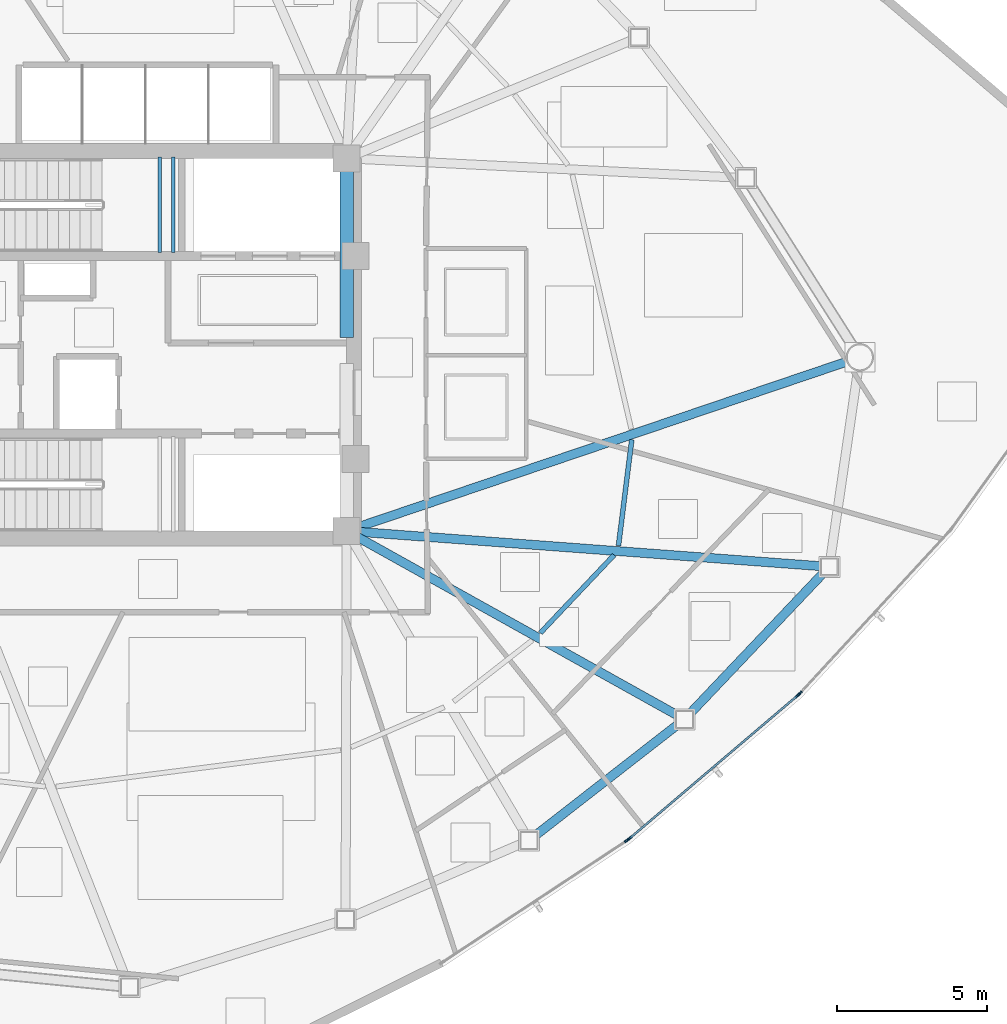
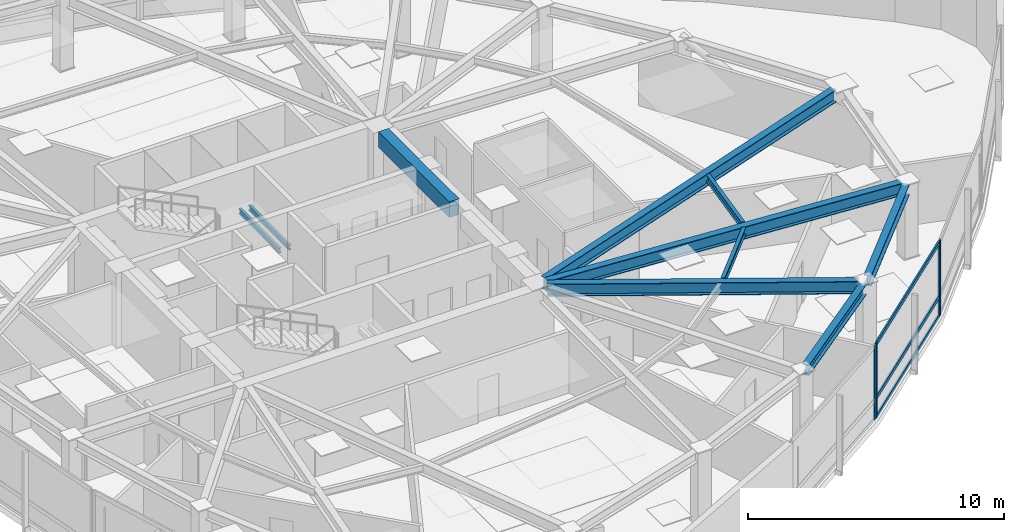
# One storey, part 5 of 17: 10 beams, 7 members, 3 elements without a shape of their own.
"""IFC4 building model written with IfcOpenShell, lengths in metres."""

import ifcopenshell
import ifcopenshell.guid

model = None  # the IFC model being written
_history = None  # IfcOwnerHistory: only IFC2X3 demands one
_inside = {}  # id of a spatial element -> (the spatial element, [elements in it])
_under = {}  # id of a project, library or spatial element -> (it, [spatial elements below it])
_declared = {}  # id of a project -> (the project, [libraries it declares])
_typed = {}  # id of a type object -> (the type object, [elements of that type])
_made_of = {}  # id of a material, layer set ... -> (it, [elements and type objects made of it])


def new_model(schema):
    """Start an empty IFC model of exactly this schema.

    Asked for "IFC4X3", IfcOpenShell would pick the latest addendum, in which some entities
    have other attributes; the version numbers below select the first issue.
    IFC2X3 requires an IfcOwnerHistory on every rooted entity: one is made here for all.
    """
    global model, _history
    if schema == "IFC4X3":
        model = ifcopenshell.file(schema_version=(4, 3, 0, 0))
    else:
        model = ifcopenshell.file(schema=schema)
    _inside.clear()
    _under.clear()
    _declared.clear()
    _typed.clear()
    _made_of.clear()
    _history = None
    if model.schema == "IFC2X3":
        org = make("IfcOrganization", Name="unknown")
        user = make(
            "IfcPersonAndOrganization",
            ThePerson=make("IfcPerson", FamilyName="unknown"),
            TheOrganization=org,
        )
        app = make(
            "IfcApplication",
            ApplicationDeveloper=org,
            Version="unknown",
            ApplicationFullName="unknown",
            ApplicationIdentifier="unknown",
        )
        _history = make(
            "IfcOwnerHistory",
            OwningUser=user,
            OwningApplication=app,
            ChangeAction="ADDED",
            CreationDate=0,
        )
    return model


def make(cls, **values):
    """One entity of the class cls with the attributes given. An attribute that is None is left unset."""
    return model.create_entity(
        cls, **{name: value for name, value in values.items() if value is not None}
    )


def rooted(cls, **values):
    """An entity with a GlobalId (a new one), such as an element, a storey or a relation."""
    return make(cls, GlobalId=ifcopenshell.guid.new(), OwnerHistory=_history, **values)


def si_unit(unit_type, name, prefix=None):
    """IfcSIUnit, for example si_unit("LENGTHUNIT", "METRE", prefix="MILLI")."""
    return make("IfcSIUnit", UnitType=unit_type, Prefix=prefix, Name=name)


def assignment(units):
    """IfcUnitAssignment: the units of a project."""
    return None if units is None else make("IfcUnitAssignment", Units=units)


def point(xyz):
    """IfcCartesianPoint."""
    return None if xyz is None else make("IfcCartesianPoint", Coordinates=xyz)


def direction(xyz):
    """IfcDirection."""
    return None if xyz is None else make("IfcDirection", DirectionRatios=xyz)


def frame(location, z_axis=None, x_axis=None):
    """IfcAxis2Placement3D, a coordinate frame: its origin and axes. An axis left out is left unset."""
    return make(
        "IfcAxis2Placement3D",
        Location=point(location),
        Axis=direction(z_axis),
        RefDirection=direction(x_axis),
    )


def frame_2d(location, x_axis=None):
    """IfcAxis2Placement2D, a coordinate frame in the plane: its origin and x axis."""
    return make(
        "IfcAxis2Placement2D", Location=point(location), RefDirection=direction(x_axis)
    )


def origin():
    """The frame at (0, 0, 0) with its axes left unset."""
    return frame((0.0, 0.0, 0.0))


def origin_2d():
    """The frame at (0, 0) in the plane with its x axis left unset."""
    return frame_2d((0.0, 0.0))


def place(relative_to, where):
    """IfcLocalPlacement: puts the frame where relative to a parent placement (None: the world)."""
    return make(
        "IfcLocalPlacement", PlacementRelTo=relative_to, RelativePlacement=where
    )


def context(
    kind, dimensions, precision=None, world=None, true_north=None, identifier=None
):
    """IfcGeometricRepresentationContext, for example the 3D "Model" context."""
    return make(
        "IfcGeometricRepresentationContext",
        ContextIdentifier=identifier,
        ContextType=kind,
        CoordinateSpaceDimension=dimensions,
        Precision=precision,
        WorldCoordinateSystem=world,
        TrueNorth=true_north,
    )


def subcontext(parent, identifier, kind, view, scale=None):
    """IfcGeometricRepresentationSubContext, for example "Body" below "Model"."""
    return make(
        "IfcGeometricRepresentationSubContext",
        ContextIdentifier=identifier,
        ContextType=kind,
        ParentContext=parent,
        TargetScale=scale,
        TargetView=view,
    )


def project(units=None, contexts=None):
    """IfcProject with its units and contexts."""
    return rooted(
        "IfcProject",
        Name="project",
        RepresentationContexts=contexts,
        UnitsInContext=assignment(units),
    )


def spatial(cls, under=None, at=None, **own):
    """A site, building, storey or space (cls), placed at a placement, below another one or the project."""
    s = rooted(cls, ObjectPlacement=at, **own)
    if under is not None:
        _under.setdefault(under.id(), (under, []))[1].append(s)
    return s


def profile(cls, at=None, kind="AREA", **sizes):
    """A parametric profile (cls). Its sizes go by their IFC names, for example OverallWidth=200.0."""
    return make(cls, ProfileType=kind, Position=at, **sizes)


def rectangle(**sizes):
    """IfcRectangleProfileDef."""
    return profile("IfcRectangleProfileDef", **sizes)


def hollow_rectangle(**sizes):
    """IfcRectangleHollowProfileDef."""
    return profile("IfcRectangleHollowProfileDef", **sizes)


def i_section(**sizes):
    """IfcIShapeProfileDef."""
    return profile("IfcIShapeProfileDef", **sizes)


def extrude(swept, where, along, depth):
    """IfcExtrudedAreaSolid: the profile swept, set in the frame where, extruded along a direction by depth."""
    return make(
        "IfcExtrudedAreaSolid",
        SweptArea=swept,
        Position=where,
        ExtrudedDirection=direction(along),
        Depth=depth,
    )


def shape(context_of_items, identifier, shape_type, items):
    """IfcShapeRepresentation: the items that make up one representation, for example the "Body"."""
    return make(
        "IfcShapeRepresentation",
        ContextOfItems=context_of_items,
        RepresentationIdentifier=identifier,
        RepresentationType=shape_type,
        Items=items,
    )


def source(mapping_origin, context_of_items, identifier, shape_type, items):
    """IfcRepresentationMap: a shape defined once, which mapped items show again and again."""
    return make(
        "IfcRepresentationMap",
        MappingOrigin=mapping_origin,
        MappedRepresentation=shape(context_of_items, identifier, shape_type, items),
    )


def transform(
    local_origin,
    x_axis=None,
    y_axis=None,
    z_axis=None,
    scale=None,
    scale2=None,
    scale3=None,
    uniform=True,
):
    """IfcCartesianTransformationOperator3D, or its non-uniform kind. x_axis, y_axis, z_axis: its Axis1, 2, 3."""
    if uniform:
        return make(
            "IfcCartesianTransformationOperator3D",
            Axis1=direction(x_axis),
            Axis2=direction(y_axis),
            LocalOrigin=point(local_origin),
            Scale=scale,
            Axis3=direction(z_axis),
        )
    return make(
        "IfcCartesianTransformationOperator3DnonUniform",
        Axis1=direction(x_axis),
        Axis2=direction(y_axis),
        LocalOrigin=point(local_origin),
        Scale=scale,
        Axis3=direction(z_axis),
        Scale2=scale2,
        Scale3=scale3,
    )


def mapped(mapping_source, mapping_target):
    """IfcMappedItem: shows the shape of a source again, moved by a transform."""
    return make(
        "IfcMappedItem", MappingSource=mapping_source, MappingTarget=mapping_target
    )


def material(Name=None, Category=None):
    """IfcMaterial."""
    return make("IfcMaterial", Name=Name, Category=Category)


def layer(
    of_material, thickness, ventilated=None, Name=None, Category=None, Priority=None
):
    """IfcMaterialLayer: one layer of a wall or slab, of a material (None: an air gap)."""
    return make(
        "IfcMaterialLayer",
        Material=of_material,
        LayerThickness=thickness,
        IsVentilated=ventilated,
        Name=Name,
        Category=Category,
        Priority=Priority,
    )


def layer_set(layers, Name=None):
    """IfcMaterialLayerSet."""
    return make("IfcMaterialLayerSet", MaterialLayers=layers, LayerSetName=Name)


def material_profile(
    of_material, cross_section, Name=None, Category=None, Priority=None
):
    """IfcMaterialProfile: a cross section and its material."""
    return make(
        "IfcMaterialProfile",
        Name=Name,
        Material=of_material,
        Profile=cross_section,
        Priority=Priority,
        Category=Category,
    )


def profile_set(profiles, Name=None, composite=None):
    """IfcMaterialProfileSet."""
    return make(
        "IfcMaterialProfileSet",
        Name=Name,
        MaterialProfiles=profiles,
        CompositeProfile=composite,
    )


def made_of(thing, what):
    """Note that an element or type object is made of a material, layer set ...; save() writes the relation."""
    if what is not None:
        _made_of.setdefault(what.id(), (what, []))[1].append(thing)
    return thing


def type_object(cls, material=None, **own):
    """A type object (cls), such as IfcWallType, which elements share."""
    return made_of(rooted(cls, **own), material)


def type_shapes(of_type, sources):
    """Give a type object the sources (RepresentationMaps) that its elements show as mapped items."""
    of_type.RepresentationMaps = sources


def element(
    cls,
    number,
    at=None,
    inside=None,
    cuts=None,
    type_object=None,
    material=None,
    context=None,
    identifier="Body",
    shape_type=None,
    held_by="IfcProductDefinitionShape",
    body=None,
    shapes=None,
    **own,
):
    """One element of the class cls, such as IfcWall. Its Tag is "e" and its number.

    at: its placement. inside: the storey or other place that contains it. cuts: it is an
    opening in that element (IfcRelVoidsElement). A single representation is given by context,
    identifier, shape_type and body (its items); several are given by shapes. held_by: the class
    of the entity that holds the representations. save() writes the other relations.
    """
    e = rooted(cls, Tag="e%d" % number, ObjectPlacement=at, **own)
    if body is not None:
        shapes = [shape(context, identifier, shape_type, body)]
    if shapes is not None:
        e.Representation = make(held_by, Representations=shapes)
    if inside is not None:
        _inside.setdefault(inside.id(), (inside, []))[1].append(e)
    if cuts is not None:
        rooted(
            "IfcRelVoidsElement", RelatingBuildingElement=cuts, RelatedOpeningElement=e
        )
    if type_object is not None:
        _typed.setdefault(type_object.id(), (type_object, []))[1].append(e)
    return made_of(e, material)


def aggregate(whole, parts):
    """IfcRelAggregates: a whole, such as a stair, and the parts it consists of."""
    return rooted("IfcRelAggregates", RelatingObject=whole, RelatedObjects=parts)


def save(model, path):
    """Write the relations noted so far, then the file.

    IfcRelAggregates (storeys below a building ...), IfcRelContainedInSpatialStructure (elements
    in a storey), IfcRelDefinesByType, IfcRelAssociatesMaterial and IfcRelDeclares: one each for
    every whole, place, type object, material and project.
    """
    for whole, parts in _under.values():
        aggregate(whole, parts)
    for where, things in _inside.values():
        rooted(
            "IfcRelContainedInSpatialStructure",
            RelatedElements=things,
            RelatingStructure=where,
        )
    for kind, things in _typed.values():
        rooted("IfcRelDefinesByType", RelatedObjects=things, RelatingType=kind)
    for what, things in _made_of.values():
        rooted("IfcRelAssociatesMaterial", RelatedObjects=things, RelatingMaterial=what)
    for by, libraries in _declared.values():
        rooted("IfcRelDeclares", RelatingContext=by, RelatedDefinitions=libraries)
    model.write(path)


model = new_model("IFC4")

# Units and contexts
model_context = context("Model", 3, precision=1e-05, world=origin(), true_north=direction((0.0, 1.0)))
body_context = subcontext(model_context, "Body", "Model", "MODEL_VIEW")
ifc_project = project(units=[si_unit("LENGTHUNIT", "METRE"), si_unit("AREAUNIT", "SQUARE_METRE"), si_unit("VOLUMEUNIT", "CUBIC_METRE"), si_unit("PLANEANGLEUNIT", "RADIAN"), si_unit("MASSUNIT", "GRAM", prefix="KILO")], contexts=[model_context])

# Site, building, storey
site_placement = place(None, origin())
site = spatial("IfcSite", under=ifc_project, at=site_placement, CompositionType="ELEMENT")
building_placement = place(site_placement, origin())
building = spatial("IfcBuilding", under=site, at=building_placement, Name="Tavelor Broadcast Tower", CompositionType="ELEMENT")
storey_placement = place(building_placement, frame((0.0, 0.0, 188.75)))
storey = spatial("IfcBuildingStorey", under=building, at=storey_placement, Name="L45", CompositionType="ELEMENT", Elevation=188.75)

# Beams
ifc_material_1 = material(Name="Concrete C40/50", Category="concrete")
ifc_material_profile_1 = material_profile(ifc_material_1, rectangle(XDim=0.449951171875, YDim=0.75, at=origin_2d()), Name="RC 450x750")
ifc_profile_set_1 = profile_set([ifc_material_profile_1], Name="Concrete C40/50")
beam_type_1 = type_object("IfcBeamType", Name="Basement Core Trim Beam 450x750", PredefinedType="BEAM", material=ifc_profile_set_1)
beam_1_placement = place(storey_placement, frame((56.60009765625, 45.23193359375, 3.175048828125), z_axis=(0.0, 1.0, 0.0), x_axis=(-1.0, 0.0, 0.0)))
element("IfcBeam", 1, at=beam_1_placement, inside=storey, type_object=beam_type_1, Name="L45 Core East-N Tie Girder", PredefinedType="BEAM", context=body_context, shape_type="SweptSolid", body=[
    extrude(rectangle(XDim=0.449951171875, YDim=0.75, at=origin_2d()), origin(), (0.0, 0.0, 1.0), 5.5361328125),
])
ifc_material_2 = material(Name="Steel S355", Category="steel")
ifc_material_profile_2 = material_profile(ifc_material_2, i_section(OverallWidth=0.159912109375, OverallDepth=0.330078125, WebThickness=0.007568359375, FlangeThickness=0.011474609375, at=origin_2d()), Name="IPE 330")
ifc_profile_set_2 = profile_set([ifc_material_profile_2], Name="Steel S355")
beam_type_2 = type_object("IfcBeamType", Name="Composite Floor Joist T4 IPE 330", PredefinedType="JOIST", material=ifc_profile_set_2)
beam_2_placement = place(storey_placement, frame((63.04541015625, 35.4072265625, 3.385009765625), z_axis=(0.687334543524, 0.726340984166, 0.0), x_axis=(-0.726340984166, 0.687334543524, 0.0)))
element("IfcBeam", 2, at=beam_2_placement, inside=storey, type_object=beam_type_2, Name="L45 Secondary Composite Floor Joist 11", PredefinedType="JOIST", context=body_context, shape_type="SweptSolid", body=[
    extrude(i_section(OverallWidth=0.159912109375, OverallDepth=0.330078125, WebThickness=0.007568359375, FlangeThickness=0.011474609375, at=origin_2d()), origin(), (0.0, 0.0, 1.0), 3.567626953125),
])
beam_3_placement = place(storey_placement, frame((65.64453125, 38.3095703125, 3.385009765625), z_axis=(0.124499310057, 0.992219694319, 0.0), x_axis=(-0.992219694319, 0.124499310057, 0.0)))
element("IfcBeam", 3, at=beam_3_placement, inside=storey, type_object=beam_type_2, Name="L45 Secondary Composite Floor Joist 12", PredefinedType="JOIST", context=body_context, shape_type="SweptSolid", body=[
    extrude(i_section(OverallWidth=0.159912109375, OverallDepth=0.330078125, WebThickness=0.007568359375, FlangeThickness=0.011474609375, at=origin_2d()), origin(), (0.0, 0.0, 1.0), 3.55712890625),
])
ifc_material_profile_3 = material_profile(ifc_material_2, i_section(OverallWidth=0.300048828125, OverallDepth=0.5, WebThickness=0.014404296875, FlangeThickness=0.028076171875, at=origin_2d()), Name="HEB 500")
ifc_profile_set_3 = profile_set([ifc_material_profile_3], Name="Steel S355")
beam_type_3 = type_object("IfcBeamType", Name="Perimeter Spandrel Beam T4 HEB 500", PredefinedType="SPANDREL", material=ifc_profile_set_3)
beam_4_placement = place(storey_placement, frame((62.896484375, 28.68017578125, 3.300048828125), z_axis=(0.788978387361, 0.614420950389, 0.0), x_axis=(-0.614420950389, 0.788978387361, 0.0)))
element("IfcBeam", 4, at=beam_4_placement, inside=storey, type_object=beam_type_3, Name="L45 Framed-Tube Ring Spandrel 10", PredefinedType="SPANDREL", context=body_context, shape_type="SweptSolid", body=[
    extrude(i_section(OverallWidth=0.300048828125, OverallDepth=0.5, WebThickness=0.014404296875, FlangeThickness=0.028076171875, at=origin_2d()), origin(), (0.0, 0.0, 1.0), 5.98046875),
])
beam_5_placement = place(storey_placement, frame((68.04052734375, 32.74072265625, 3.300048828125), z_axis=(0.688387662899, 0.725342970993, 0.0), x_axis=(-0.725342970993, 0.688387662899, 0.0)))
element("IfcBeam", 5, at=beam_5_placement, inside=storey, type_object=beam_type_3, Name="L45 Framed-Tube Ring Spandrel 11", PredefinedType="SPANDREL", context=body_context, shape_type="SweptSolid", body=[
    extrude(i_section(OverallWidth=0.300048828125, OverallDepth=0.5, WebThickness=0.014404296875, FlangeThickness=0.028076171875, at=origin_2d()), origin(), (0.0, 0.0, 1.0), 6.42138671875),
])
ifc_material_profile_4 = material_profile(ifc_material_2, i_section(OverallWidth=0.300048828125, OverallDepth=0.590087890625, WebThickness=0.012939453125, FlangeThickness=0.02490234375, at=origin_2d()), Name="HEA 600")
ifc_profile_set_4 = profile_set([ifc_material_profile_4], Name="Steel S355")
beam_type_4 = type_object("IfcBeamType", Name="Radial Floor Girder T4 HEA 600", PredefinedType="BEAM", material=ifc_profile_set_4)
beam_6_placement = place(storey_placement, frame((56.977294921875, 38.589599609375, 3.2548828125), z_axis=(0.8734199139, -0.486967816187, 0.0), x_axis=(0.486967816187, 0.8734199139, 0.0)))
element("IfcBeam", 6, at=beam_6_placement, inside=storey, type_object=beam_type_4, Name="L45 Radial Primary Floor Girder 11", PredefinedType="BEAM", context=body_context, shape_type="SweptSolid", body=[
    extrude(i_section(OverallWidth=0.300048828125, OverallDepth=0.590087890625, WebThickness=0.012939453125, FlangeThickness=0.02490234375, at=origin_2d()), origin(), (0.0, 0.0, 1.0), 12.151611328125),
])
beam_7_placement = place(storey_placement, frame((57.03076171875, 38.76806640625, 3.2548828125), z_axis=(0.997253315852, -0.074066348787, 0.0), x_axis=(0.074066348787, 0.997253315852, 0.0)))
element("IfcBeam", 7, at=beam_7_placement, inside=storey, type_object=beam_type_4, Name="L45 Radial Primary Floor Girder 12", PredefinedType="BEAM", context=body_context, shape_type="SweptSolid", body=[
    extrude(i_section(OverallWidth=0.300048828125, OverallDepth=0.590087890625, WebThickness=0.012939453125, FlangeThickness=0.02490234375, at=origin_2d()), origin(), (0.0, 0.0, 1.0), 15.383544921875),
])
beam_8_placement = place(storey_placement, frame((57.00927734375, 38.9384765625, 3.2548828125), z_axis=(0.947214639948, 0.320600102727, 0.0), x_axis=(-0.320600102727, 0.947214639948, 0.0)))
element("IfcBeam", 8, at=beam_8_placement, inside=storey, type_object=beam_type_4, Name="L45 Radial Primary Floor Girder 13", PredefinedType="BEAM", context=body_context, shape_type="SweptSolid", body=[
    extrude(i_section(OverallWidth=0.300048828125, OverallDepth=0.590087890625, WebThickness=0.012939453125, FlangeThickness=0.02490234375, at=origin_2d()), origin(), (0.0, 0.0, 1.0), 17.15673828125),
])
ifc_material_profile_5 = material_profile(ifc_material_2, i_section(OverallWidth=0.1201171875, OverallDepth=0.239990234375, WebThickness=0.006103515625, FlangeThickness=0.009765625, at=origin_2d()), Name="IPE 240")
ifc_profile_set_5 = profile_set([ifc_material_profile_5], Name="Steel S355")
beam_type_5 = type_object("IfcBeamType", Name="Stairwell Landing Support Trimmer Beam IPE240", PredefinedType="BEAM", material=ifc_profile_set_5)
for number, where, z_axis, x_axis, name in (
    (9, (50.385009765625, 48.06005859375, 1.610107421875), (0.0, 1.0, 0.0), (-1.0, 0.0, 0.0), "L45 Stair Landing Support Beam 123"),
    (10, (50.824951171875, 48.06005859375, 1.610107421875), (0.0, 1.0, 0.0), (-1.0, 0.0, 0.0), "L45 Stair Landing Support Beam 124"),
):
    element("IfcBeam", number, at=place(storey_placement, frame(where, z_axis=z_axis, x_axis=x_axis)), inside=storey, type_object=beam_type_5, Name=name, PredefinedType="BEAM", context=body_context, shape_type="SweptSolid", body=[
        extrude(i_section(OverallWidth=0.1201171875, OverallDepth=0.239990234375, WebThickness=0.006103515625, FlangeThickness=0.009765625, at=origin_2d()), origin(), (0.0, 0.0, 1.0), 3.179931640625),
    ])

# Curtain wall, member
ifc_material_3 = material(Name="Architectural Anodized Aluminium", Category="aluminium")
ifc_layer = layer(ifc_material_3, 0.18994140625)
ifc_layer_set = layer_set([ifc_layer], Name="Architectural Anodized Aluminium")
curtain_wall_type = type_object("IfcCurtainWallType", Name="Tower Mid-Zone Acoustic Curtain Wall CW03", PredefinedType="NOTDEFINED", material=ifc_layer_set)
curtain_wall_1_placement = place(storey_placement, origin())
curtain_wall_1 = element("IfcCurtainWall", 11, at=curtain_wall_1_placement, inside=storey, type_object=curtain_wall_type, Name="L45 Curtain Wall CW03 Run 485", PredefinedType="NOTDEFINED")
ifc_material_profile_6 = material_profile(ifc_material_3, hollow_rectangle(XDim=0.068115234375, YDim=0.18994140625, WallThickness=0.02197265625, at=origin_2d()), Name="RHS 68x190x22")
ifc_profile_set_6 = profile_set([ifc_material_profile_6], Name="Architectural Anodized Aluminium")
member_type_1 = type_object("IfcMemberType", Name="CW03 Extruded Aluminium Mullion 68x190", PredefinedType="MULLION", material=ifc_profile_set_6)
shared_shape_1 = source(origin(), body_context, "Body", "SweptSolid", [
    extrude(hollow_rectangle(XDim=0.068115234375, YDim=0.18994140625, WallThickness=0.02197265625, at=origin_2d()), origin(), (0.0, 0.0, 1.0), 3.550048828125),
])
type_shapes(member_type_1, [shared_shape_1])
member_1_placement = place(storey_placement, frame((65.92626953125, 28.50146484375, 0.0), z_axis=(0.0, 0.0, 1.0), x_axis=(-0.550844268486, 0.834608046856, 0.0)))
member_1 = element("IfcMember", 12, at=member_1_placement, type_object=member_type_1, Name="CW03 mullion 2", PredefinedType="MULLION", context=body_context, shape_type="MappedRepresentation", body=[
    mapped(shared_shape_1, transform((0.0, 0.0, 0.0), scale=1.0)),
])
aggregate(curtain_wall_1, [member_1])

# Curtain wall, members
curtain_wall_2_placement = place(storey_placement, origin())
curtain_wall_2 = element("IfcCurtainWall", 13, at=curtain_wall_2_placement, inside=storey, type_object=curtain_wall_type, Name="L45 Curtain Wall CW03 Run 486", PredefinedType="NOTDEFINED")
member_2_placement = place(storey_placement, frame((66.00439453125, 28.560302734375, 0.0), z_axis=(0.0, 0.0, 1.0), x_axis=(-0.647789958242, 0.761818987688, 0.0)))
member_2 = element("IfcMember", 14, at=member_2_placement, type_object=member_type_1, Name="CW03 mullion 1", PredefinedType="MULLION", context=body_context, shape_type="MappedRepresentation", body=[
    mapped(shared_shape_1, transform((0.0, 0.0, 0.0), scale=1.0)),
])
member_3_placement = place(storey_placement, frame((71.608154296875, 33.3251953125, 0.0), z_axis=(0.0, 0.0, 1.0), x_axis=(-0.647789958242, 0.761818987688, 0.0)))
member_3 = element("IfcMember", 15, at=member_3_placement, type_object=member_type_1, Name="CW03 mullion 2", PredefinedType="MULLION", context=body_context, shape_type="MappedRepresentation", body=[
    mapped(shared_shape_1, transform((0.0, 0.0, 0.0), scale=1.0)),
])

# Curtain wall, member
curtain_wall_3_placement = place(storey_placement, origin())
curtain_wall_3 = element("IfcCurtainWall", 16, at=curtain_wall_3_placement, inside=storey, type_object=curtain_wall_type, Name="L45 Curtain Wall CW03 Run 487", PredefinedType="NOTDEFINED")
member_4_placement = place(storey_placement, frame((71.6787109375, 33.392822265625, 0.0), z_axis=(0.0, 0.0, 1.0), x_axis=(-0.735216983062, 0.677831828566, 0.0)))
member_4 = element("IfcMember", 17, at=member_4_placement, type_object=member_type_1, Name="CW03 mullion 1", PredefinedType="MULLION", context=body_context, shape_type="MappedRepresentation", body=[
    mapped(shared_shape_1, transform((0.0, 0.0, 0.0), scale=1.0)),
])
aggregate(curtain_wall_3, [member_4])

# Member
ifc_material_profile_7 = material_profile(ifc_material_3, hollow_rectangle(XDim=0.068115234375, YDim=0.18994140625, WallThickness=0.02197265625, at=origin_2d()), Name="RHS 68x190x22")
ifc_profile_set_7 = profile_set([ifc_material_profile_7], Name="Architectural Anodized Aluminium")
member_type_2 = type_object("IfcMemberType", Name="CW03 Extruded Aluminium Transom 68x190", PredefinedType="USERDEFINED", material=ifc_profile_set_7)
shared_shape_2 = source(origin(), body_context, "Body", "SweptSolid", [
    extrude(hollow_rectangle(XDim=0.068115234375, YDim=0.18994140625, WallThickness=0.02197265625, at=origin_2d()), origin(), (0.0, 0.0, 1.0), 7.287353515625),
])
type_shapes(member_type_2, [shared_shape_2])
member_5_placement = place(storey_placement, frame((66.030517578125, 28.582275390625, 0.033935546875), z_axis=(0.761823582062, 0.64778455509, 0.0), x_axis=(-0.64778455509, 0.761823582062, 0.0)))
member_5 = element("IfcMember", 18, at=member_5_placement, type_object=member_type_2, Name="CW03 transom 1.1", ObjectType="TRANSOM", PredefinedType="USERDEFINED", context=body_context, shape_type="MappedRepresentation", body=[
    mapped(shared_shape_2, transform((0.0, 0.0, 0.0), scale=1.0)),
])

member_6_placement = place(storey_placement, frame((66.030517578125, 28.582275390625, 0.949951171875), z_axis=(0.761823582062, 0.64778455509, 0.0), x_axis=(-0.64778455509, 0.761823582062, 0.0)))
member_6 = element("IfcMember", 19, at=member_6_placement, type_object=member_type_2, Name="CW03 transom 1.2", ObjectType="TRANSOM", PredefinedType="USERDEFINED", context=body_context, shape_type="MappedRepresentation", body=[
    mapped(shared_shape_2, transform((0.0, 0.0, 0.0), scale=1.0)),
])

member_7_placement = place(storey_placement, frame((66.030517578125, 28.582275390625, 3.51611328125), z_axis=(0.761823582062, 0.64778455509, 0.0), x_axis=(-0.64778455509, 0.761823582062, 0.0)))
member_7 = element("IfcMember", 20, at=member_7_placement, type_object=member_type_2, Name="CW03 transom 1.3", ObjectType="TRANSOM", PredefinedType="USERDEFINED", context=body_context, shape_type="MappedRepresentation", body=[
    mapped(shared_shape_2, transform((0.0, 0.0, 0.0), scale=1.0)),
])

aggregate(curtain_wall_2, [member_2, member_3, member_5, member_6, member_7])

save(model, "model.ifc")
